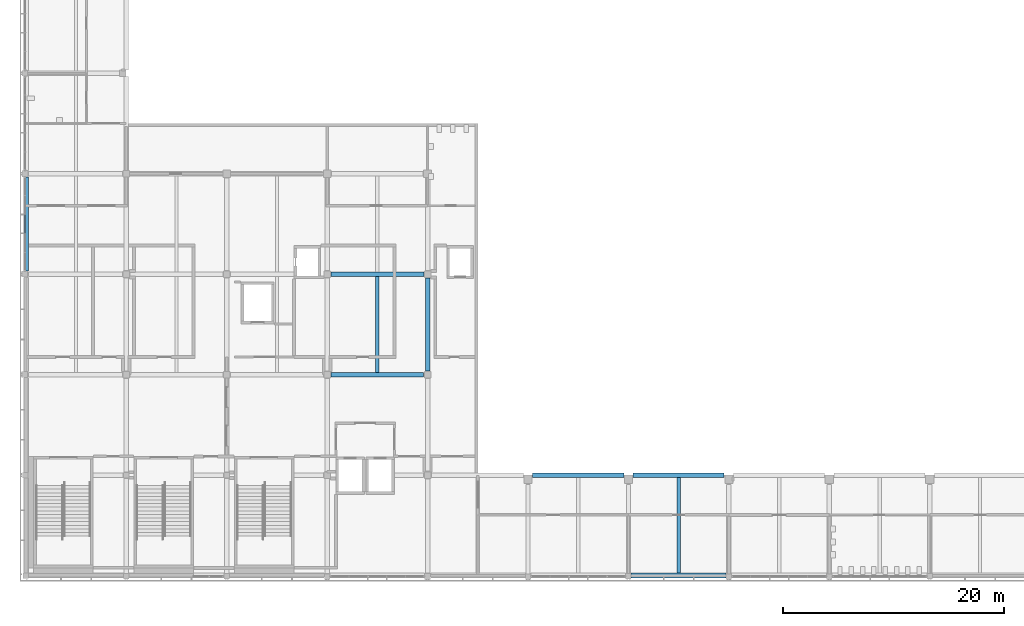
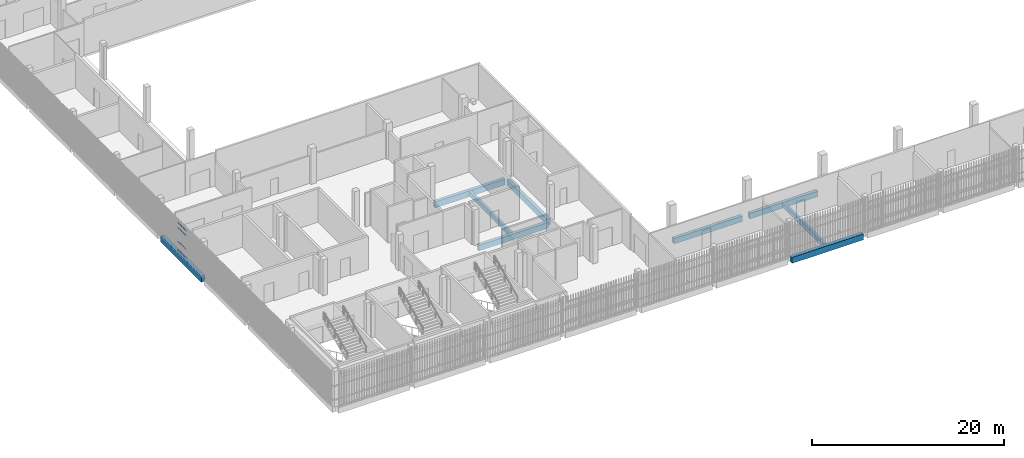
# One storey, part 13 of 124: 9 beams, 4 members, 1 element without a shape of its own.
"""IFC4 building model written with IfcOpenShell, lengths in metres."""

from ifc_helpers import new_model, si_unit, direction, frame, origin, origin_2d, place, context, subcontext, project, spatial, rectangle, hollow_rectangle, extrude, material, layer, layer_set, material_profile, profile_set, type_object, element, aggregate, save


model = new_model("IFC4")

# Units and contexts
model_context = context("Model", 3, precision=1e-05, world=origin(), true_north=direction((0.0, 1.0)))
body_context = subcontext(model_context, "Body", "Model", "MODEL_VIEW")
ifc_project = project(units=[si_unit("LENGTHUNIT", "METRE"), si_unit("AREAUNIT", "SQUARE_METRE"), si_unit("VOLUMEUNIT", "CUBIC_METRE"), si_unit("PLANEANGLEUNIT", "RADIAN"), si_unit("MASSUNIT", "GRAM", prefix="KILO")], contexts=[model_context])

# Site, building, storey
site_placement = place(None, origin())
site = spatial("IfcSite", under=ifc_project, at=site_placement, CompositionType="ELEMENT")
building_placement = place(site_placement, origin())
building = spatial("IfcBuilding", under=site, at=building_placement, Name="Shirokan Park Arena", CompositionType="ELEMENT")
storey_placement = place(building_placement, frame((0.0, 0.0, 20.02001953125)))
storey = spatial("IfcBuildingStorey", under=building, at=storey_placement, Name="L04", CompositionType="ELEMENT", Elevation=20.02001953125)

# Beams
ifc_material_1 = material(Name="Concrete C35", Category="concrete")
ifc_material_profile_1 = material_profile(ifc_material_1, rectangle(XDim=0.39990234375, YDim=0.699951171875, at=origin_2d()), Name="400x700")
ifc_profile_set_1 = profile_set([ifc_material_profile_1], Name="Concrete C35")
beam_type_1 = type_object("IfcBeamType", Name="RC girder 400x700", PredefinedType="BEAM", material=ifc_profile_set_1)
beam_1_placement = place(storey_placement, frame((27.650146484375, 18.199951171875, -0.60009765625), z_axis=(1.0, 0.0, 0.0), x_axis=(0.0, 1.0, 0.0)))
element("IfcBeam", 1, at=beam_1_placement, inside=storey, type_object=beam_type_1, Name="Girder 4C-5C L04", PredefinedType="BEAM", context=body_context, shape_type="SweptSolid", body=[
    extrude(rectangle(XDim=0.39990234375, YDim=0.699951171875, at=origin_2d()), origin(), (0.0, 0.0, 1.0), 8.399658203125),
])
for number, where, z_axis, x_axis, name in (
    (2, (45.925048828125, 9.10009765625, -0.60009765625), (1.0, 0.0, 0.0), (0.0, 1.0, 0.0), "Girder 6B-7B L04"),
    (3, (55.025146484375, 9.10009765625, -0.60009765625), (1.0, 0.0, 0.0), (0.0, 1.0, 0.0), "Girder 7B-8B L04"),
):
    element("IfcBeam", number, at=place(storey_placement, frame(where, z_axis=z_axis, x_axis=x_axis)), inside=storey, type_object=beam_type_1, Name=name, PredefinedType="BEAM", context=body_context, shape_type="SweptSolid", body=[
        extrude(rectangle(XDim=0.39990234375, YDim=0.699951171875, at=origin_2d()), origin(), (0.0, 0.0, 1.0), 8.249755859375),
    ])
ifc_material_profile_2 = material_profile(ifc_material_1, rectangle(XDim=0.39990234375, YDim=0.75, at=origin_2d()), Name="400x750")
ifc_profile_set_2 = profile_set([ifc_material_profile_2], Name="Concrete C35")
beam_type_2 = type_object("IfcBeamType", Name="RC girder 400x750", PredefinedType="BEAM", material=ifc_profile_set_2)
for number, where, z_axis, x_axis, name in (
    (4, (27.650146484375, 27.300048828125, -0.625), (1.0, 0.0, 0.0), (0.0, 1.0, 0.0), "Girder 4D-5D L04"),
    (5, (36.39990234375, 18.550048828125, -0.625), (0.0, 1.0, 0.0), (-1.0, 0.0, 0.0), "Girder 5C-5D L04"),
):
    element("IfcBeam", number, at=place(storey_placement, frame(where, z_axis=z_axis, x_axis=x_axis)), inside=storey, type_object=beam_type_2, Name=name, PredefinedType="BEAM", context=body_context, shape_type="SweptSolid", body=[
        extrude(rectangle(XDim=0.39990234375, YDim=0.75, at=origin_2d()), origin(), (0.0, 0.0, 1.0), 8.4248046875),
    ])
ifc_material_profile_3 = material_profile(ifc_material_1, rectangle(XDim=0.449951171875, YDim=0.75, at=origin_2d()), Name="450x750")
ifc_profile_set_3 = profile_set([ifc_material_profile_3], Name="Concrete C35")
beam_type_3 = type_object("IfcBeamType", Name="RC girder 450x750", PredefinedType="BEAM", material=ifc_profile_set_3)
beam_2_placement = place(storey_placement, frame((54.85009765625, 0.0, -0.625), z_axis=(1.0, 0.0, 0.0), x_axis=(0.0, 1.0, 0.0)))
element("IfcBeam", 6, at=beam_2_placement, inside=storey, type_object=beam_type_3, Name="Girder 7A-8A L04", PredefinedType="BEAM", context=body_context, shape_type="SweptSolid", body=[
    extrude(rectangle(XDim=0.449951171875, YDim=0.75, at=origin_2d()), origin(), (0.0, 0.0, 1.0), 8.599853515625),
])
beam_3_placement = place(storey_placement, frame((0.0, 27.60009765625, -0.625), z_axis=(0.0, 1.0, 0.0), x_axis=(-1.0, 0.0, 0.0)))
element("IfcBeam", 7, at=beam_3_placement, inside=storey, type_object=beam_type_3, Name="Girder 1D-1E L04", PredefinedType="BEAM", context=body_context, shape_type="SweptSolid", body=[
    extrude(rectangle(XDim=0.449951171875, YDim=0.75, at=origin_2d()), origin(), (0.0, 0.0, 1.0), 8.499755859375),
])
ifc_material_profile_4 = material_profile(ifc_material_1, rectangle(XDim=0.300048828125, YDim=0.60009765625, at=origin_2d()), Name="300x600")
ifc_profile_set_4 = profile_set([ifc_material_profile_4], Name="Concrete C35")
beam_type_4 = type_object("IfcBeamType", Name="RC joist 300x600", PredefinedType="JOIST", material=ifc_profile_set_4)
beam_4_placement = place(storey_placement, frame((31.85009765625, 18.39990234375, -0.550048828125), z_axis=(0.0, 1.0, 0.0), x_axis=(-1.0, 0.0, 0.0)))
element("IfcBeam", 8, at=beam_4_placement, inside=storey, type_object=beam_type_4, Name="Joist 5C L04", PredefinedType="JOIST", context=body_context, shape_type="SweptSolid", body=[
    extrude(rectangle(XDim=0.300048828125, YDim=0.60009765625, at=origin_2d()), origin(), (0.0, 0.0, 1.0), 8.7001953125),
])
beam_5_placement = place(storey_placement, frame((59.14990234375, 0.22509765625, -0.550048828125), z_axis=(0.0, 1.0, 0.0), x_axis=(-1.0, 0.0, 0.0)))
element("IfcBeam", 9, at=beam_5_placement, inside=storey, type_object=beam_type_4, Name="Joist 8A L04", PredefinedType="JOIST", context=body_context, shape_type="SweptSolid", body=[
    extrude(rectangle(XDim=0.300048828125, YDim=0.60009765625, at=origin_2d()), origin(), (0.0, 0.0, 1.0), 8.6748046875),
])

# Curtain wall, members
ifc_material_2 = material(Name="Steel and glass curtain wall", Category="steel")
ifc_layer = layer(ifc_material_2, 0.14990234375)
ifc_layer_set = layer_set([ifc_layer], Name="Steel and glass curtain wall 150 mm")
curtain_wall_type = type_object("IfcCurtainWallType", Name="Curtain wall exposed bay 150", PredefinedType="NOTDEFINED", material=ifc_layer_set)
curtain_wall_placement = place(storey_placement, origin())
curtain_wall = element("IfcCurtainWall", 10, at=curtain_wall_placement, inside=storey, type_object=curtain_wall_type, Name="Curtain wall west bay 9 L04", PredefinedType="NOTDEFINED")
ifc_material_3 = material(Name="Steel S355", Category="steel")
ifc_material_profile_5 = material_profile(ifc_material_3, hollow_rectangle(XDim=0.06005859375, YDim=0.0400390625, WallThickness=0.00390625, at=origin_2d()), Name="RHS 60x40x4")
ifc_profile_set_5 = profile_set([ifc_material_profile_5], Name="Steel S355")
member_type = type_object("IfcMemberType", Name="Transom RHS 60x40x4", PredefinedType="MULLION", material=ifc_profile_set_5)
member_1_placement = place(storey_placement, frame((-0.074951171875, 32.679931640625, 0.02001953125), z_axis=(0.0, -1.0, 0.0), x_axis=(1.0, 0.0, 0.0)))
member_1 = element("IfcMember", 11, at=member_1_placement, type_object=member_type, Name="CW1 transom 3.1", PredefinedType="MULLION", context=body_context, shape_type="SweptSolid", body=[
    extrude(hollow_rectangle(XDim=0.06005859375, YDim=0.0400390625, WallThickness=0.00390625, at=origin_2d()), origin(), (0.0, 0.0, 1.0), 1.659912109375),
])
member_2_placement = place(storey_placement, frame((-0.074951171875, 32.679931640625, 1.10009765625), z_axis=(0.0, -1.0, 0.0), x_axis=(1.0, 0.0, 0.0)))
member_2 = element("IfcMember", 12, at=member_2_placement, type_object=member_type, Name="CW1 transom 3.2", PredefinedType="MULLION", context=body_context, shape_type="SweptSolid", body=[
    extrude(hollow_rectangle(XDim=0.06005859375, YDim=0.0400390625, WallThickness=0.00390625, at=origin_2d()), origin(), (0.0, 0.0, 1.0), 1.659912109375),
])
member_3_placement = place(storey_placement, frame((-0.074951171875, 32.679931640625, 2.85009765625), z_axis=(0.0, -1.0, 0.0), x_axis=(1.0, 0.0, 0.0)))
member_3 = element("IfcMember", 13, at=member_3_placement, type_object=member_type, Name="CW1 transom 3.3", PredefinedType="MULLION", context=body_context, shape_type="SweptSolid", body=[
    extrude(hollow_rectangle(XDim=0.06005859375, YDim=0.0400390625, WallThickness=0.00390625, at=origin_2d()), origin(), (0.0, 0.0, 1.0), 1.659912109375),
])
member_4_placement = place(storey_placement, frame((-0.074951171875, 32.679931640625, 3.47998046875), z_axis=(0.0, -1.0, 0.0), x_axis=(1.0, 0.0, 0.0)))
member_4 = element("IfcMember", 14, at=member_4_placement, type_object=member_type, Name="CW1 transom 3.4", PredefinedType="MULLION", context=body_context, shape_type="SweptSolid", body=[
    extrude(hollow_rectangle(XDim=0.06005859375, YDim=0.0400390625, WallThickness=0.00390625, at=origin_2d()), origin(), (0.0, 0.0, 1.0), 1.659912109375),
])
aggregate(curtain_wall, [member_1, member_2, member_3, member_4])

save(model, "model.ifc")
